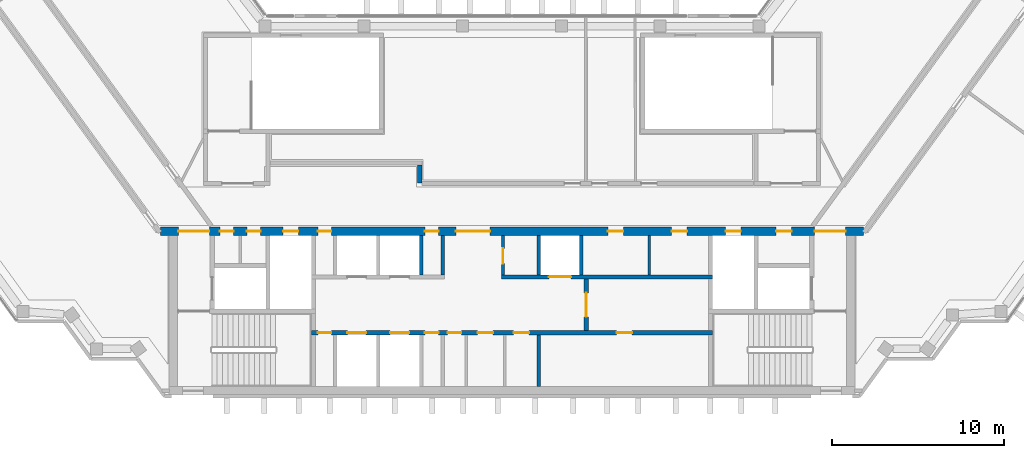
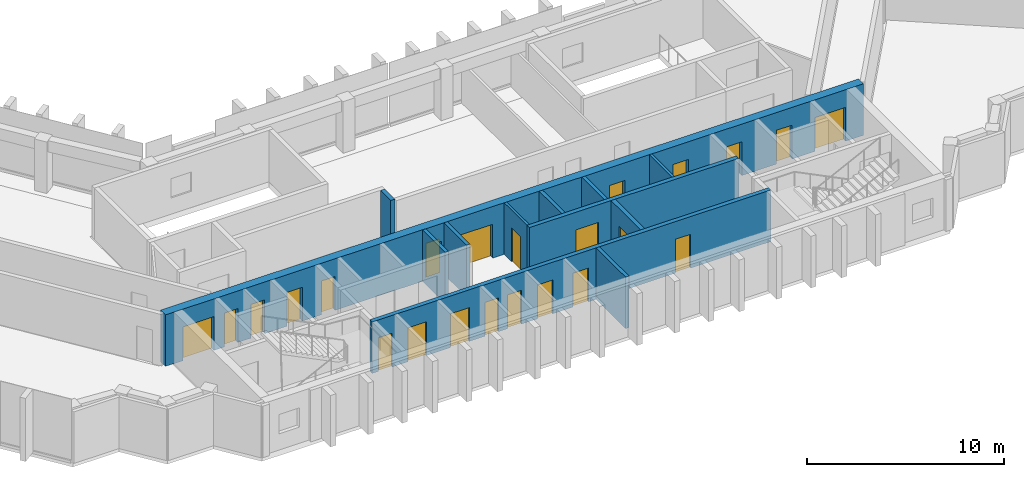
# One storey, part 5 of 8: 23 doors, 12 walls, 23 openings.
"""IFC4 building model written with IfcOpenShell, lengths in metres."""

from ifc_helpers import new_model, si_unit, direction, frame, frame_2d, origin, place, context, subcontext, project, spatial, rectangle, extrude, material, layer, layer_set, type_object, element, fill, save


model = new_model("IFC4")

# Units and contexts
model_context = context("Model", 3, precision=1e-05, world=origin(), true_north=direction((0.0, 1.0)))
body_context = subcontext(model_context, "Body", "Model", "MODEL_VIEW")
ifc_project = project(units=[si_unit("LENGTHUNIT", "METRE"), si_unit("AREAUNIT", "SQUARE_METRE"), si_unit("VOLUMEUNIT", "CUBIC_METRE"), si_unit("PLANEANGLEUNIT", "RADIAN"), si_unit("MASSUNIT", "GRAM", prefix="KILO")], contexts=[model_context])

# Site, building, storey
site_placement = place(None, origin())
site = spatial("IfcSite", under=ifc_project, at=site_placement, CompositionType="ELEMENT")
building_placement = place(site_placement, origin())
building = spatial("IfcBuilding", under=site, at=building_placement, Name="Quipu Civic Tower", CompositionType="ELEMENT")
storey_placement = place(building_placement, frame((0.0, 0.0, 351.0)))
storey = spatial("IfcBuildingStorey", under=building, at=storey_placement, Name="L82", CompositionType="ELEMENT", Elevation=351.0)

# Wall, openings, doors
ifc_material_1 = material(Name="Concrete C70/85", Category="concrete")
ifc_layer_1 = layer(ifc_material_1, 0.25)
ifc_layer_set_1 = layer_set([ifc_layer_1], Name="Concrete C70/85")
wall_type_1 = type_object("IfcWallType", Name="Core wall 250", PredefinedType="SHEAR", material=ifc_layer_set_1)
wall_1_placement = place(storey_placement, frame((11.699951171875, -7.375, 0.0), z_axis=(0.0, 0.0, 1.0), x_axis=(-1.0, 0.0, 0.0)))
wall_1 = element("IfcWall", 1, at=wall_1_placement, inside=storey, type_object=wall_type_1, Name="Core wall", PredefinedType="SHEAR", context=body_context, shape_type="SweptSolid", body=[
    extrude(rectangle(XDim=23.39990234375, YDim=0.25, at=frame_2d((11.699951171875, 0.0))), origin(), (0.0, 0.0, 1.0), 3.199951171875),
])
opening_1_placement = place(wall_1_placement, frame((22.22509765625, 0.0, 0.0)))
opening_1 = element("IfcOpeningElement", 2, at=opening_1_placement, cuts=wall_1, Name="Opening CD-01", PredefinedType="OPENING", context=body_context, shape_type="SweptSolid", body=[
    extrude(rectangle(XDim=0.800048828125, YDim=2.10009765625, at=frame_2d((0.39990234375, 1.050048828125))), frame((0.0, 0.135009765625, 0.0), z_axis=(0.0, -1.0, 0.0), x_axis=(1.0, 0.0, 0.0)), (0.0, 0.0, 1.0), 0.27001953125),
])
opening_2_placement = place(wall_1_placement, frame((20.199951171875, 0.0, 0.0)))
opening_2 = element("IfcOpeningElement", 3, at=opening_2_placement, cuts=wall_1, Name="Opening LD-HL1", PredefinedType="OPENING", context=body_context, shape_type="SweptSolid", body=[
    extrude(rectangle(XDim=1.10009765625, YDim=2.10009765625, at=frame_2d((0.550048828125, 1.050048828125))), frame((0.0, 0.135009765625, 0.0), z_axis=(0.0, -1.0, 0.0), x_axis=(1.0, 0.0, 0.0)), (0.0, 0.0, 1.0), 0.27001953125),
])
opening_3_placement = place(wall_1_placement, frame((17.699951171875, 0.0, 0.0)))
opening_3 = element("IfcOpeningElement", 4, at=opening_3_placement, cuts=wall_1, Name="Opening LD-HL2", PredefinedType="OPENING", context=body_context, shape_type="SweptSolid", body=[
    extrude(rectangle(XDim=1.10009765625, YDim=2.10009765625, at=frame_2d((0.550048828125, 1.050048828125))), frame((0.0, 0.135009765625, 0.0), z_axis=(0.0, -1.0, 0.0), x_axis=(1.0, 0.0, 0.0)), (0.0, 0.0, 1.0), 0.27001953125),
])
opening_4_placement = place(wall_1_placement, frame((15.97509765625, 0.0, 0.0)))
opening_4 = element("IfcOpeningElement", 5, at=opening_4_placement, cuts=wall_1, Name="Opening CD-02", PredefinedType="OPENING", context=body_context, shape_type="SweptSolid", body=[
    extrude(rectangle(XDim=0.800048828125, YDim=2.10009765625, at=frame_2d((0.39990234375, 1.050048828125))), frame((0.0, 0.135009765625, 0.0), z_axis=(0.0, -1.0, 0.0), x_axis=(1.0, 0.0, 0.0)), (0.0, 0.0, 1.0), 0.27001953125),
])
opening_5_placement = place(wall_1_placement, frame((14.64990234375, 0.0, 0.0)))
opening_5 = element("IfcOpeningElement", 6, at=opening_5_placement, cuts=wall_1, Name="Opening CD-03", PredefinedType="OPENING", context=body_context, shape_type="SweptSolid", body=[
    extrude(rectangle(XDim=0.800048828125, YDim=2.10009765625, at=frame_2d((0.39990234375, 1.050048828125))), frame((0.0, 0.135009765625, 0.0), z_axis=(0.0, -1.0, 0.0), x_axis=(1.0, 0.0, 0.0)), (0.0, 0.0, 1.0), 0.27001953125),
])
opening_6_placement = place(wall_1_placement, frame((12.800048828125, 0.0, 0.0)))
opening_6 = element("IfcOpeningElement", 7, at=opening_6_placement, cuts=wall_1, Name="Opening CD-04", PredefinedType="OPENING", context=body_context, shape_type="SweptSolid", body=[
    extrude(rectangle(XDim=0.89990234375, YDim=2.10009765625, at=frame_2d((0.449951171875, 1.050048828125))), frame((0.0, 0.135009765625, 0.0), z_axis=(0.0, -1.0, 0.0), x_axis=(1.0, 0.0, 0.0)), (0.0, 0.0, 1.0), 0.27001953125),
])
opening_7_placement = place(wall_1_placement, frame((10.699951171875, 0.0, 0.0)))
opening_7 = element("IfcOpeningElement", 8, at=opening_7_placement, cuts=wall_1, Name="Opening CD-05", PredefinedType="OPENING", context=body_context, shape_type="SweptSolid", body=[
    extrude(rectangle(XDim=0.89990234375, YDim=2.10009765625, at=frame_2d((0.449951171875, 1.050048828125))), frame((0.0, 0.135009765625, 0.0), z_axis=(0.0, -1.0, 0.0), x_axis=(1.0, 0.0, 0.0)), (0.0, 0.0, 1.0), 0.27001953125),
])
opening_8_placement = place(wall_1_placement, frame((4.699951171875, 0.0, 0.0)))
opening_8 = element("IfcOpeningElement", 9, at=opening_8_placement, cuts=wall_1, Name="Opening CD-06", PredefinedType="OPENING", context=body_context, shape_type="SweptSolid", body=[
    extrude(rectangle(XDim=0.89990234375, YDim=2.10009765625, at=frame_2d((0.449951171875, 1.050048828125))), frame((0.0, 0.135009765625, 0.0), z_axis=(0.0, -1.0, 0.0), x_axis=(1.0, 0.0, 0.0)), (0.0, 0.0, 1.0), 0.27001953125),
])
ifc_material_2 = material(Name="Fire rated steel door", Category="steel")
door_type_1 = type_object("IfcDoorType", Name="Fire door FD60 800 x 2100", OperationType="NOTDEFINED", PredefinedType="DOOR", material=ifc_material_2)
door_1_placement = place(opening_1_placement, origin())
door_1 = element("IfcDoor", 10, at=door_1_placement, inside=storey, type_object=door_type_1, Name="Door", OperationType="SINGLE_SWING_RIGHT", OverallHeight=2.10009765625, OverallWidth=0.800048828125, PredefinedType="DOOR", context=body_context, shape_type="SweptSolid", body=[
    extrude(rectangle(XDim=0.800048828125, YDim=2.10009765625, at=frame_2d((0.39990234375, 1.050048828125))), frame((0.0, 0.02490234375, 0.0), z_axis=(0.0, -1.0, 0.0), x_axis=(1.0, 0.0, 0.0)), (0.0, 0.0, 1.0), 0.050048828125),
])
fill(opening_1, door_1)
door_2_placement = place(opening_4_placement, origin())
door_2 = element("IfcDoor", 11, at=door_2_placement, inside=storey, type_object=door_type_1, Name="Door", OperationType="SINGLE_SWING_RIGHT", OverallHeight=2.10009765625, OverallWidth=0.800048828125, PredefinedType="DOOR", context=body_context, shape_type="SweptSolid", body=[
    extrude(rectangle(XDim=0.800048828125, YDim=2.10009765625, at=frame_2d((0.39990234375, 1.050048828125))), frame((0.0, 0.02490234375, 0.0), z_axis=(0.0, -1.0, 0.0), x_axis=(1.0, 0.0, 0.0)), (0.0, 0.0, 1.0), 0.050048828125),
])
fill(opening_4, door_2)
door_3_placement = place(opening_5_placement, origin())
door_3 = element("IfcDoor", 12, at=door_3_placement, inside=storey, type_object=door_type_1, Name="Door", OperationType="SINGLE_SWING_RIGHT", OverallHeight=2.10009765625, OverallWidth=0.800048828125, PredefinedType="DOOR", context=body_context, shape_type="SweptSolid", body=[
    extrude(rectangle(XDim=0.800048828125, YDim=2.10009765625, at=frame_2d((0.39990234375, 1.050048828125))), frame((0.0, 0.02490234375, 0.0), z_axis=(0.0, -1.0, 0.0), x_axis=(1.0, 0.0, 0.0)), (0.0, 0.0, 1.0), 0.050048828125),
])
fill(opening_5, door_3)
ifc_material_3 = material(Name="Fire rated steel door", Category="steel")
door_type_2 = type_object("IfcDoorType", Name="Fire door FD60 900 x 2100", OperationType="NOTDEFINED", PredefinedType="DOOR", material=ifc_material_3)
door_4_placement = place(opening_6_placement, origin())
door_4 = element("IfcDoor", 13, at=door_4_placement, inside=storey, type_object=door_type_2, Name="WC door", OperationType="SINGLE_SWING_RIGHT", OverallHeight=2.10009765625, OverallWidth=0.89990234375, PredefinedType="DOOR", context=body_context, shape_type="SweptSolid", body=[
    extrude(rectangle(XDim=0.89990234375, YDim=2.10009765625, at=frame_2d((0.449951171875, 1.050048828125))), frame((0.0, 0.02490234375, 0.0), z_axis=(0.0, -1.0, 0.0), x_axis=(1.0, 0.0, 0.0)), (0.0, 0.0, 1.0), 0.050048828125),
])
fill(opening_6, door_4)
door_5_placement = place(opening_7_placement, origin())
door_5 = element("IfcDoor", 14, at=door_5_placement, inside=storey, type_object=door_type_2, Name="WC door", OperationType="SINGLE_SWING_LEFT", OverallHeight=2.10009765625, OverallWidth=0.89990234375, PredefinedType="DOOR", context=body_context, shape_type="SweptSolid", body=[
    extrude(rectangle(XDim=0.89990234375, YDim=2.10009765625, at=frame_2d((0.449951171875, 1.050048828125))), frame((0.0, 0.02490234375, 0.0), z_axis=(0.0, -1.0, 0.0), x_axis=(1.0, 0.0, 0.0)), (0.0, 0.0, 1.0), 0.050048828125),
])
fill(opening_7, door_5)
door_6_placement = place(opening_8_placement, origin())
door_6 = element("IfcDoor", 15, at=door_6_placement, inside=storey, type_object=door_type_2, Name="Door", OperationType="SINGLE_SWING_LEFT", OverallHeight=2.10009765625, OverallWidth=0.89990234375, PredefinedType="DOOR", context=body_context, shape_type="SweptSolid", body=[
    extrude(rectangle(XDim=0.89990234375, YDim=2.10009765625, at=frame_2d((0.449951171875, 1.050048828125))), frame((0.0, 0.02490234375, 0.0), z_axis=(0.0, -1.0, 0.0), x_axis=(1.0, 0.0, 0.0)), (0.0, 0.0, 1.0), 0.050048828125),
])
fill(opening_8, door_6)
ifc_material_4 = material(Name="Stainless steel", Category="steel")
door_type_3 = type_object("IfcDoorType", Name="Lift landing door 1100 x 2100", OperationType="DOUBLE_DOOR_SLIDING", PredefinedType="DOOR", material=ifc_material_4)
door_7_placement = place(opening_2_placement, origin())
door_7 = element("IfcDoor", 16, at=door_7_placement, inside=storey, type_object=door_type_3, Name="Landing door HL1", OperationType="DOUBLE_DOOR_SLIDING", OverallHeight=2.10009765625, OverallWidth=1.10009765625, PredefinedType="DOOR", context=body_context, shape_type="SweptSolid", body=[
    extrude(rectangle(XDim=1.10009765625, YDim=2.10009765625, at=frame_2d((0.550048828125, 1.050048828125))), frame((0.0, 0.02490234375, 0.0), z_axis=(0.0, -1.0, 0.0), x_axis=(1.0, 0.0, 0.0)), (0.0, 0.0, 1.0), 0.050048828125),
])
fill(opening_2, door_7)
door_8_placement = place(opening_3_placement, origin())
door_8 = element("IfcDoor", 17, at=door_8_placement, inside=storey, type_object=door_type_3, Name="Landing door HL2", OperationType="DOUBLE_DOOR_SLIDING", OverallHeight=2.10009765625, OverallWidth=1.10009765625, PredefinedType="DOOR", context=body_context, shape_type="SweptSolid", body=[
    extrude(rectangle(XDim=1.10009765625, YDim=2.10009765625, at=frame_2d((0.550048828125, 1.050048828125))), frame((0.0, 0.02490234375, 0.0), z_axis=(0.0, -1.0, 0.0), x_axis=(1.0, 0.0, 0.0)), (0.0, 0.0, 1.0), 0.050048828125),
])
fill(opening_3, door_8)

# Wall, opening, door
wall_2_placement = place(storey_placement, frame((4.324951171875, -7.25, 0.0), z_axis=(0.0, 0.0, 1.0), x_axis=(0.0, 1.0, 0.0)))
wall_2 = element("IfcWall", 18, at=wall_2_placement, inside=storey, type_object=wall_type_1, Name="Core wall", PredefinedType="SHEAR", context=body_context, shape_type="SweptSolid", body=[
    extrude(rectangle(XDim=3.0, YDim=0.25, at=frame_2d((1.5, 0.0))), origin(), (0.0, 0.0, 1.0), 3.199951171875),
])
opening_9_placement = place(wall_2_placement, frame((0.800048828125, 0.0, 0.0)))
opening_9 = element("IfcOpeningElement", 19, at=opening_9_placement, cuts=wall_2, Name="Opening CD-09", PredefinedType="OPENING", context=body_context, shape_type="SweptSolid", body=[
    extrude(rectangle(XDim=1.39990234375, YDim=2.10009765625, at=frame_2d((0.699951171875, 1.050048828125))), frame((0.0, 0.135009765625, 0.0), z_axis=(0.0, -1.0, 0.0), x_axis=(1.0, 0.0, 0.0)), (0.0, 0.0, 1.0), 0.27001953125),
])
ifc_material_5 = material(Name="Fire rated steel door", Category="steel")
door_type_4 = type_object("IfcDoorType", Name="Fire door FD60 double 1400 x 2100", OperationType="NOTDEFINED", PredefinedType="DOOR", material=ifc_material_5)
door_9_placement = place(opening_9_placement, origin())
door_9 = element("IfcDoor", 20, at=door_9_placement, inside=storey, type_object=door_type_4, Name="Hall door", OperationType="DOUBLE_DOOR_SINGLE_SWING", OverallHeight=2.10009765625, OverallWidth=1.39990234375, PredefinedType="DOOR", context=body_context, shape_type="SweptSolid", body=[
    extrude(rectangle(XDim=1.39990234375, YDim=2.10009765625, at=frame_2d((0.699951171875, 1.050048828125))), frame((0.0, 0.02490234375, 0.0), z_axis=(0.0, -1.0, 0.0), x_axis=(1.0, 0.0, 0.0)), (0.0, 0.0, 1.0), 0.050048828125),
])
fill(opening_9, door_9)

wall_3_placement = place(storey_placement, frame((-0.60009765625, -4.125, 0.0), z_axis=(0.0, 0.0, 1.0), x_axis=(1.0, 0.0, 0.0)))
wall_3 = element("IfcWall", 21, at=wall_3_placement, inside=storey, type_object=wall_type_1, Name="Core wall", PredefinedType="SHEAR", context=body_context, shape_type="SweptSolid", body=[
    extrude(rectangle(XDim=12.300048828125, YDim=0.25, at=frame_2d((6.14990234375, 0.0))), origin(), (0.0, 0.0, 1.0), 3.199951171875),
])
opening_10_placement = place(wall_3_placement, frame((2.75, 0.0, 0.0)))
opening_10 = element("IfcOpeningElement", 22, at=opening_10_placement, cuts=wall_3, Name="Opening LD-FF3", PredefinedType="OPENING", context=body_context, shape_type="SweptSolid", body=[
    extrude(rectangle(XDim=1.300048828125, YDim=2.10009765625, at=frame_2d((0.64990234375, 1.050048828125))), frame((0.0, 0.135009765625, 0.0), z_axis=(0.0, -1.0, 0.0), x_axis=(1.0, 0.0, 0.0)), (0.0, 0.0, 1.0), 0.27001953125),
])
ifc_material_6 = material(Name="Stainless steel", Category="steel")
door_type_5 = type_object("IfcDoorType", Name="Lift landing door 1300 x 2100", OperationType="DOUBLE_DOOR_SLIDING", PredefinedType="DOOR", material=ifc_material_6)
door_10_placement = place(opening_10_placement, origin())
door_10 = element("IfcDoor", 23, at=door_10_placement, inside=storey, type_object=door_type_5, Name="Landing door FF3", OperationType="DOUBLE_DOOR_SLIDING", OverallHeight=2.10009765625, OverallWidth=1.300048828125, PredefinedType="DOOR", context=body_context, shape_type="SweptSolid", body=[
    extrude(rectangle(XDim=1.300048828125, YDim=2.10009765625, at=frame_2d((0.64990234375, 1.050048828125))), frame((0.0, 0.02490234375, 0.0), z_axis=(0.0, -1.0, 0.0), x_axis=(1.0, 0.0, 0.0)), (0.0, 0.0, 1.0), 0.050048828125),
])
fill(opening_10, door_10)

# Wall, openings, doors
ifc_material_7 = material(Name="Concrete C70/85", Category="concrete")
ifc_layer_2 = layer(ifc_material_7, 0.5)
ifc_layer_set_2 = layer_set([ifc_layer_2], Name="Concrete C70/85")
wall_type_2 = type_object("IfcWallType", Name="Core wall 500", PredefinedType="SHEAR", material=ifc_layer_set_2)
wall_4_placement = place(storey_placement, frame((20.489990234375, -1.449951171875, 0.0), z_axis=(0.0, 0.0, 1.0), x_axis=(-1.0, 0.0, 0.0)))
wall_4 = element("IfcWall", 24, at=wall_4_placement, inside=storey, type_object=wall_type_2, Name="Core wall", PredefinedType="SHEAR", context=body_context, shape_type="SweptSolid", body=[
    extrude(rectangle(XDim=40.97998046875, YDim=0.5, at=frame_2d((20.489990234375, 0.0))), origin(), (0.0, 0.0, 1.0), 3.199951171875),
])
opening_11_placement = place(wall_4_placement, frame((38.139892578125, 0.0, 0.0)))
opening_11 = element("IfcOpeningElement", 25, at=opening_11_placement, cuts=wall_4, Name="Opening CD-11", PredefinedType="OPENING", context=body_context, shape_type="SweptSolid", body=[
    extrude(rectangle(XDim=1.800048828125, YDim=2.10009765625, at=frame_2d((0.89990234375, 1.050048828125))), frame((0.0, 0.260009765625, 0.0), z_axis=(0.0, -1.0, 0.0), x_axis=(1.0, 0.0, 0.0)), (0.0, 0.0, 1.0), 0.52001953125),
])
opening_12_placement = place(wall_4_placement, frame((36.7275390625, 0.0, 0.0)))
opening_12 = element("IfcOpeningElement", 26, at=opening_12_placement, cuts=wall_4, Name="Opening CD-12", PredefinedType="OPENING", context=body_context, shape_type="SweptSolid", body=[
    extrude(rectangle(XDim=0.800048828125, YDim=2.10009765625, at=frame_2d((0.39990234375, 1.050048828125))), frame((0.0, 0.260009765625, 0.0), z_axis=(0.0, -1.0, 0.0), x_axis=(1.0, 0.0, 0.0)), (0.0, 0.0, 1.0), 0.52001953125),
])
opening_13_placement = place(wall_4_placement, frame((35.152587890625, 0.0, 0.0)))
opening_13 = element("IfcOpeningElement", 27, at=opening_13_placement, cuts=wall_4, Name="Opening CD-13", PredefinedType="OPENING", context=body_context, shape_type="SweptSolid", body=[
    extrude(rectangle(XDim=0.800048828125, YDim=2.10009765625, at=frame_2d((0.39990234375, 1.050048828125))), frame((0.0, 0.260009765625, 0.0), z_axis=(0.0, -1.0, 0.0), x_axis=(1.0, 0.0, 0.0)), (0.0, 0.0, 1.0), 0.52001953125),
])
opening_14_placement = place(wall_4_placement, frame((32.93994140625, 0.0, 0.0)))
opening_14 = element("IfcOpeningElement", 28, at=opening_14_placement, cuts=wall_4, Name="Opening CD-14", PredefinedType="OPENING", context=body_context, shape_type="SweptSolid", body=[
    extrude(rectangle(XDim=0.89990234375, YDim=2.10009765625, at=frame_2d((0.449951171875, 1.050048828125))), frame((0.0, 0.260009765625, 0.0), z_axis=(0.0, -1.0, 0.0), x_axis=(1.0, 0.0, 0.0)), (0.0, 0.0, 1.0), 0.52001953125),
])
opening_15_placement = place(wall_4_placement, frame((31.014892578125, 0.0, 0.0)))
opening_15 = element("IfcOpeningElement", 29, at=opening_15_placement, cuts=wall_4, Name="Opening CD-15", PredefinedType="OPENING", context=body_context, shape_type="SweptSolid", body=[
    extrude(rectangle(XDim=0.800048828125, YDim=2.10009765625, at=frame_2d((0.39990234375, 1.050048828125))), frame((0.0, 0.260009765625, 0.0), z_axis=(0.0, -1.0, 0.0), x_axis=(1.0, 0.0, 0.0)), (0.0, 0.0, 1.0), 0.52001953125),
])
opening_16_placement = place(wall_4_placement, frame((24.764892578125, 0.0, 0.0)))
opening_16 = element("IfcOpeningElement", 30, at=opening_16_placement, cuts=wall_4, Name="Opening CD-16", PredefinedType="OPENING", context=body_context, shape_type="SweptSolid", body=[
    extrude(rectangle(XDim=0.800048828125, YDim=2.10009765625, at=frame_2d((0.39990234375, 1.050048828125))), frame((0.0, 0.260009765625, 0.0), z_axis=(0.0, -1.0, 0.0), x_axis=(1.0, 0.0, 0.0)), (0.0, 0.0, 1.0), 0.52001953125),
])
opening_17_placement = place(wall_4_placement, frame((21.764892578125, 0.0, 0.0)))
opening_17 = element("IfcOpeningElement", 31, at=opening_17_placement, cuts=wall_4, Name="Opening CD-17", PredefinedType="OPENING", context=body_context, shape_type="SweptSolid", body=[
    extrude(rectangle(XDim=2.0, YDim=2.10009765625, at=frame_2d((1.0, 1.050048828125))), frame((0.0, 0.260009765625, 0.0), z_axis=(0.0, -1.0, 0.0), x_axis=(1.0, 0.0, 0.0)), (0.0, 0.0, 1.0), 0.52001953125),
])
opening_18_placement = place(wall_4_placement, frame((14.00244140625, 0.0, 0.0)))
opening_18 = element("IfcOpeningElement", 32, at=opening_18_placement, cuts=wall_4, Name="Opening CD-18", PredefinedType="OPENING", context=body_context, shape_type="SweptSolid", body=[
    extrude(rectangle(XDim=0.89990234375, YDim=2.10009765625, at=frame_2d((0.449951171875, 1.050048828125))), frame((0.0, 0.260009765625, 0.0), z_axis=(0.0, -1.0, 0.0), x_axis=(1.0, 0.0, 0.0)), (0.0, 0.0, 1.0), 0.52001953125),
])
opening_19_placement = place(wall_4_placement, frame((10.277587890625, 0.0, 0.0)))
opening_19 = element("IfcOpeningElement", 33, at=opening_19_placement, cuts=wall_4, Name="Opening CD-19", PredefinedType="OPENING", context=body_context, shape_type="SweptSolid", body=[
    extrude(rectangle(XDim=0.89990234375, YDim=2.10009765625, at=frame_2d((0.449951171875, 1.050048828125))), frame((0.0, 0.260009765625, 0.0), z_axis=(0.0, -1.0, 0.0), x_axis=(1.0, 0.0, 0.0)), (0.0, 0.0, 1.0), 0.52001953125),
])
opening_20_placement = place(wall_4_placement, frame((7.139892578125, 0.0, 0.0)))
opening_20 = element("IfcOpeningElement", 34, at=opening_20_placement, cuts=wall_4, Name="Opening CD-20", PredefinedType="OPENING", context=body_context, shape_type="SweptSolid", body=[
    extrude(rectangle(XDim=0.89990234375, YDim=2.10009765625, at=frame_2d((0.449951171875, 1.050048828125))), frame((0.0, 0.260009765625, 0.0), z_axis=(0.0, -1.0, 0.0), x_axis=(1.0, 0.0, 0.0)), (0.0, 0.0, 1.0), 0.52001953125),
])
opening_21_placement = place(wall_4_placement, frame((4.18994140625, 0.0, 0.0)))
opening_21 = element("IfcOpeningElement", 35, at=opening_21_placement, cuts=wall_4, Name="Opening CD-21", PredefinedType="OPENING", context=body_context, shape_type="SweptSolid", body=[
    extrude(rectangle(XDim=0.89990234375, YDim=2.10009765625, at=frame_2d((0.449951171875, 1.050048828125))), frame((0.0, 0.260009765625, 0.0), z_axis=(0.0, -1.0, 0.0), x_axis=(1.0, 0.0, 0.0)), (0.0, 0.0, 1.0), 0.52001953125),
])
opening_22_placement = place(wall_4_placement, frame((1.0400390625, 0.0, 0.0)))
opening_22 = element("IfcOpeningElement", 36, at=opening_22_placement, cuts=wall_4, Name="Opening CD-22", PredefinedType="OPENING", context=body_context, shape_type="SweptSolid", body=[
    extrude(rectangle(XDim=1.800048828125, YDim=2.10009765625, at=frame_2d((0.89990234375, 1.050048828125))), frame((0.0, 0.260009765625, 0.0), z_axis=(0.0, -1.0, 0.0), x_axis=(1.0, 0.0, 0.0)), (0.0, 0.0, 1.0), 0.52001953125),
])
door_11_placement = place(opening_12_placement, origin())
door_11 = element("IfcDoor", 37, at=door_11_placement, inside=storey, type_object=door_type_1, Name="Door", OperationType="SINGLE_SWING_RIGHT", OverallHeight=2.10009765625, OverallWidth=0.800048828125, PredefinedType="DOOR", context=body_context, shape_type="SweptSolid", body=[
    extrude(rectangle(XDim=0.800048828125, YDim=2.10009765625, at=frame_2d((0.39990234375, 1.050048828125))), frame((0.0, 0.02490234375, 0.0), z_axis=(0.0, -1.0, 0.0), x_axis=(1.0, 0.0, 0.0)), (0.0, 0.0, 1.0), 0.050048828125),
])
fill(opening_12, door_11)
door_12_placement = place(opening_13_placement, origin())
door_12 = element("IfcDoor", 38, at=door_12_placement, inside=storey, type_object=door_type_1, Name="Door", OperationType="SINGLE_SWING_RIGHT", OverallHeight=2.10009765625, OverallWidth=0.800048828125, PredefinedType="DOOR", context=body_context, shape_type="SweptSolid", body=[
    extrude(rectangle(XDim=0.800048828125, YDim=2.10009765625, at=frame_2d((0.39990234375, 1.050048828125))), frame((0.0, 0.02490234375, 0.0), z_axis=(0.0, -1.0, 0.0), x_axis=(1.0, 0.0, 0.0)), (0.0, 0.0, 1.0), 0.050048828125),
])
fill(opening_13, door_12)
door_13_placement = place(opening_15_placement, origin())
door_13 = element("IfcDoor", 39, at=door_13_placement, inside=storey, type_object=door_type_1, Name="Door", OperationType="SINGLE_SWING_RIGHT", OverallHeight=2.10009765625, OverallWidth=0.800048828125, PredefinedType="DOOR", context=body_context, shape_type="SweptSolid", body=[
    extrude(rectangle(XDim=0.800048828125, YDim=2.10009765625, at=frame_2d((0.39990234375, 1.050048828125))), frame((0.0, 0.02490234375, 0.0), z_axis=(0.0, -1.0, 0.0), x_axis=(1.0, 0.0, 0.0)), (0.0, 0.0, 1.0), 0.050048828125),
])
fill(opening_15, door_13)
door_14_placement = place(opening_16_placement, origin())
door_14 = element("IfcDoor", 40, at=door_14_placement, inside=storey, type_object=door_type_1, Name="Door", OperationType="SINGLE_SWING_RIGHT", OverallHeight=2.10009765625, OverallWidth=0.800048828125, PredefinedType="DOOR", context=body_context, shape_type="SweptSolid", body=[
    extrude(rectangle(XDim=0.800048828125, YDim=2.10009765625, at=frame_2d((0.39990234375, 1.050048828125))), frame((0.0, 0.02490234375, 0.0), z_axis=(0.0, -1.0, 0.0), x_axis=(1.0, 0.0, 0.0)), (0.0, 0.0, 1.0), 0.050048828125),
])
fill(opening_16, door_14)
door_15_placement = place(opening_14_placement, origin())
door_15 = element("IfcDoor", 41, at=door_15_placement, inside=storey, type_object=door_type_2, Name="Riser door", OperationType="SINGLE_SWING_RIGHT", OverallHeight=2.10009765625, OverallWidth=0.89990234375, PredefinedType="DOOR", context=body_context, shape_type="SweptSolid", body=[
    extrude(rectangle(XDim=0.89990234375, YDim=2.10009765625, at=frame_2d((0.449951171875, 1.050048828125))), frame((0.0, 0.02490234375, 0.0), z_axis=(0.0, -1.0, 0.0), x_axis=(1.0, 0.0, 0.0)), (0.0, 0.0, 1.0), 0.050048828125),
])
fill(opening_14, door_15)
door_16_placement = place(opening_18_placement, origin())
door_16 = element("IfcDoor", 42, at=door_16_placement, inside=storey, type_object=door_type_2, Name="Door", OperationType="SINGLE_SWING_LEFT", OverallHeight=2.10009765625, OverallWidth=0.89990234375, PredefinedType="DOOR", context=body_context, shape_type="SweptSolid", body=[
    extrude(rectangle(XDim=0.89990234375, YDim=2.10009765625, at=frame_2d((0.449951171875, 1.050048828125))), frame((0.0, 0.02490234375, 0.0), z_axis=(0.0, -1.0, 0.0), x_axis=(1.0, 0.0, 0.0)), (0.0, 0.0, 1.0), 0.050048828125),
])
fill(opening_18, door_16)
door_17_placement = place(opening_19_placement, origin())
door_17 = element("IfcDoor", 43, at=door_17_placement, inside=storey, type_object=door_type_2, Name="Door", OperationType="SINGLE_SWING_LEFT", OverallHeight=2.10009765625, OverallWidth=0.89990234375, PredefinedType="DOOR", context=body_context, shape_type="SweptSolid", body=[
    extrude(rectangle(XDim=0.89990234375, YDim=2.10009765625, at=frame_2d((0.449951171875, 1.050048828125))), frame((0.0, 0.02490234375, 0.0), z_axis=(0.0, -1.0, 0.0), x_axis=(1.0, 0.0, 0.0)), (0.0, 0.0, 1.0), 0.050048828125),
])
fill(opening_19, door_17)
door_18_placement = place(opening_20_placement, origin())
door_18 = element("IfcDoor", 44, at=door_18_placement, inside=storey, type_object=door_type_2, Name="Riser door", OperationType="SINGLE_SWING_LEFT", OverallHeight=2.10009765625, OverallWidth=0.89990234375, PredefinedType="DOOR", context=body_context, shape_type="SweptSolid", body=[
    extrude(rectangle(XDim=0.89990234375, YDim=2.10009765625, at=frame_2d((0.449951171875, 1.050048828125))), frame((0.0, 0.02490234375, 0.0), z_axis=(0.0, -1.0, 0.0), x_axis=(1.0, 0.0, 0.0)), (0.0, 0.0, 1.0), 0.050048828125),
])
fill(opening_20, door_18)
door_19_placement = place(opening_21_placement, origin())
door_19 = element("IfcDoor", 45, at=door_19_placement, inside=storey, type_object=door_type_2, Name="Door", OperationType="SINGLE_SWING_LEFT", OverallHeight=2.10009765625, OverallWidth=0.89990234375, PredefinedType="DOOR", context=body_context, shape_type="SweptSolid", body=[
    extrude(rectangle(XDim=0.89990234375, YDim=2.10009765625, at=frame_2d((0.449951171875, 1.050048828125))), frame((0.0, 0.02490234375, 0.0), z_axis=(0.0, -1.0, 0.0), x_axis=(1.0, 0.0, 0.0)), (0.0, 0.0, 1.0), 0.050048828125),
])
fill(opening_21, door_19)
ifc_material_8 = material(Name="Fire rated steel door", Category="steel")
door_type_6 = type_object("IfcDoorType", Name="Fire door FD90 double 1800 x 2100", OperationType="NOTDEFINED", PredefinedType="DOOR", material=ifc_material_8)
door_20_placement = place(opening_11_placement, origin())
door_20 = element("IfcDoor", 46, at=door_20_placement, inside=storey, type_object=door_type_6, Name="Lobby door", OperationType="DOUBLE_DOOR_SINGLE_SWING", OverallHeight=2.10009765625, OverallWidth=1.800048828125, PredefinedType="DOOR", context=body_context, shape_type="SweptSolid", body=[
    extrude(rectangle(XDim=1.800048828125, YDim=2.10009765625, at=frame_2d((0.89990234375, 1.050048828125))), frame((0.0, 0.02490234375, 0.0), z_axis=(0.0, -1.0, 0.0), x_axis=(1.0, 0.0, 0.0)), (0.0, 0.0, 1.0), 0.050048828125),
])
fill(opening_11, door_20)
door_21_placement = place(opening_22_placement, origin())
door_21 = element("IfcDoor", 47, at=door_21_placement, inside=storey, type_object=door_type_6, Name="Lobby door", OperationType="DOUBLE_DOOR_SINGLE_SWING", OverallHeight=2.10009765625, OverallWidth=1.800048828125, PredefinedType="DOOR", context=body_context, shape_type="SweptSolid", body=[
    extrude(rectangle(XDim=1.800048828125, YDim=2.10009765625, at=frame_2d((0.89990234375, 1.050048828125))), frame((0.0, 0.02490234375, 0.0), z_axis=(0.0, -1.0, 0.0), x_axis=(1.0, 0.0, 0.0)), (0.0, 0.0, 1.0), 0.050048828125),
])
fill(opening_22, door_21)
ifc_material_9 = material(Name="Fire rated steel door", Category="steel")
door_type_7 = type_object("IfcDoorType", Name="Fire door FD90 double 2000 x 2100", OperationType="NOTDEFINED", PredefinedType="DOOR", material=ifc_material_9)
door_22_placement = place(opening_17_placement, origin())
door_22 = element("IfcDoor", 48, at=door_22_placement, inside=storey, type_object=door_type_7, Name="Lobby door", OperationType="DOUBLE_DOOR_SINGLE_SWING", OverallHeight=2.10009765625, OverallWidth=2.0, PredefinedType="DOOR", context=body_context, shape_type="SweptSolid", body=[
    extrude(rectangle(XDim=2.0, YDim=2.10009765625, at=frame_2d((1.0, 1.050048828125))), frame((0.0, 0.02490234375, 0.0), z_axis=(0.0, -1.0, 0.0), x_axis=(1.0, 0.0, 0.0)), (0.0, 0.0, 1.0), 0.050048828125),
])
fill(opening_17, door_22)

# Wall
ifc_material_10 = material(Name="Concrete C50/60", Category="concrete")
ifc_layer_3 = layer(ifc_material_10, 0.25)
ifc_layer_set_3 = layer_set([ifc_layer_3], Name="Concrete C50/60")
wall_type_3 = type_object("IfcWallType", Name="Corridor wall 250 concrete", PredefinedType="SOLIDWALL", material=ifc_layer_set_3)
wall_5_placement = place(storey_placement, frame((-5.375, 2.39990234375, 0.0), z_axis=(0.0, 0.0, 1.0), x_axis=(0.0, -1.0, 0.0)))
element("IfcWall", 49, at=wall_5_placement, inside=storey, type_object=wall_type_3, Name="Corridor wall C08", PredefinedType="SOLIDWALL", context=body_context, shape_type="SweptSolid", body=[
    extrude(rectangle(XDim=1.041259765625, YDim=0.25, at=frame_2d((0.5205078125, 0.0))), origin(), (0.0, 0.0, 1.0), 3.199951171875),
])

# Wall, opening, door
ifc_material_11 = material(Name="Gypsum board partition")
ifc_layer_4 = layer(ifc_material_11, 0.14990234375)
ifc_layer_set_4 = layer_set([ifc_layer_4], Name="Gypsum board partition")
wall_type_4 = type_object("IfcWallType", Name="Partition 150", PredefinedType="PARTITIONING", material=ifc_layer_set_4)
wall_6_placement = place(storey_placement, frame((-0.52490234375, -4.0, 0.0), z_axis=(0.0, 0.0, 1.0), x_axis=(0.0, 1.0, 0.0)))
wall_6 = element("IfcWall", 50, at=wall_6_placement, inside=storey, type_object=wall_type_4, Name="Partition", PredefinedType="PARTITIONING", context=body_context, shape_type="SweptSolid", body=[
    extrude(rectangle(XDim=2.300048828125, YDim=0.14990234375, at=frame_2d((1.14990234375, 0.0))), origin(), (0.0, 0.0, 1.0), 3.199951171875),
])
opening_23_placement = place(wall_6_placement, frame((0.64990234375, 0.0, 0.0)))
opening_23 = element("IfcOpeningElement", 51, at=opening_23_placement, cuts=wall_6, Name="Opening CD-10", PredefinedType="OPENING", context=body_context, shape_type="SweptSolid", body=[
    extrude(rectangle(XDim=0.89990234375, YDim=2.10009765625, at=frame_2d((0.449951171875, 1.050048828125))), frame((0.0, 0.0849609375, 0.0), z_axis=(0.0, -1.0, 0.0), x_axis=(1.0, 0.0, 0.0)), (0.0, 0.0, 1.0), 0.169921875),
])
door_23_placement = place(opening_23_placement, origin())
door_23 = element("IfcDoor", 52, at=door_23_placement, inside=storey, type_object=door_type_2, Name="WC door", OperationType="SINGLE_SWING_LEFT", OverallHeight=2.10009765625, OverallWidth=0.89990234375, PredefinedType="DOOR", context=body_context, shape_type="SweptSolid", body=[
    extrude(rectangle(XDim=0.89990234375, YDim=2.10009765625, at=frame_2d((0.449951171875, 1.050048828125))), frame((0.0, 0.02490234375, 0.0), z_axis=(0.0, -1.0, 0.0), x_axis=(1.0, 0.0, 0.0)), (0.0, 0.0, 1.0), 0.050048828125),
])
fill(opening_23, door_23)

# Walls
wall_7_placement = place(storey_placement, frame((8.0, -4.0, 0.0), z_axis=(0.0, 0.0, 1.0), x_axis=(0.0, 1.0, 0.0)))
element("IfcWall", 53, at=wall_7_placement, inside=storey, type_object=wall_type_4, Name="Partition", PredefinedType="PARTITIONING", context=body_context, shape_type="SweptSolid", body=[
    extrude(rectangle(XDim=2.300048828125, YDim=0.14990234375, at=frame_2d((1.14990234375, 0.0))), origin(), (0.0, 0.0, 1.0), 3.199951171875),
])
ifc_material_12 = material(Name="Concrete C40/50", Category="concrete")
ifc_layer_5 = layer(ifc_material_12, 0.199951171875)
ifc_layer_set_5 = layer_set([ifc_layer_5], Name="Concrete C40/50")
wall_type_5 = type_object("IfcWallType", Name="Shaft wall 200", PredefinedType="SOLIDWALL", material=ifc_layer_set_5)
wall_8_placement = place(storey_placement, frame((1.550048828125, -10.5, 0.0), z_axis=(0.0, 0.0, 1.0), x_axis=(0.0, 1.0, 0.0)))
element("IfcWall", 54, at=wall_8_placement, inside=storey, type_object=wall_type_5, Name="Shaft wall", PredefinedType="SOLIDWALL", context=body_context, shape_type="SweptSolid", body=[
    extrude(rectangle(XDim=3.0, YDim=0.199951171875, at=frame_2d((1.5, 0.0))), origin(), (0.0, 0.0, 1.0), 3.199951171875),
])
for number, where, z_axis, x_axis, name in (
    (55, (-5.300048828125, -4.0, 0.0), (0.0, 0.0, 1.0), (0.0, 1.0, 0.0), "Shaft wall"),
    (56, (-4.050048828125, -4.0, 0.0), (0.0, 0.0, 1.0), (0.0, 1.0, 0.0), "Shaft wall"),
    (57, (1.550048828125, -4.0, 0.0), (0.0, 0.0, 1.0), (0.0, 1.0, 0.0), "Shaft wall"),
    (58, (4.050048828125, -4.0, 0.0), (0.0, 0.0, 1.0), (0.0, 1.0, 0.0), "Shaft wall"),
):
    element("IfcWall", number, at=place(storey_placement, frame(where, z_axis=z_axis, x_axis=x_axis)), inside=storey, type_object=wall_type_5, Name=name, PredefinedType="SOLIDWALL", context=body_context, shape_type="SweptSolid", body=[
        extrude(rectangle(XDim=2.300048828125, YDim=0.199951171875, at=frame_2d((1.14990234375, 0.0))), origin(), (0.0, 0.0, 1.0), 3.199951171875),
    ])

save(model, "model.ifc")
